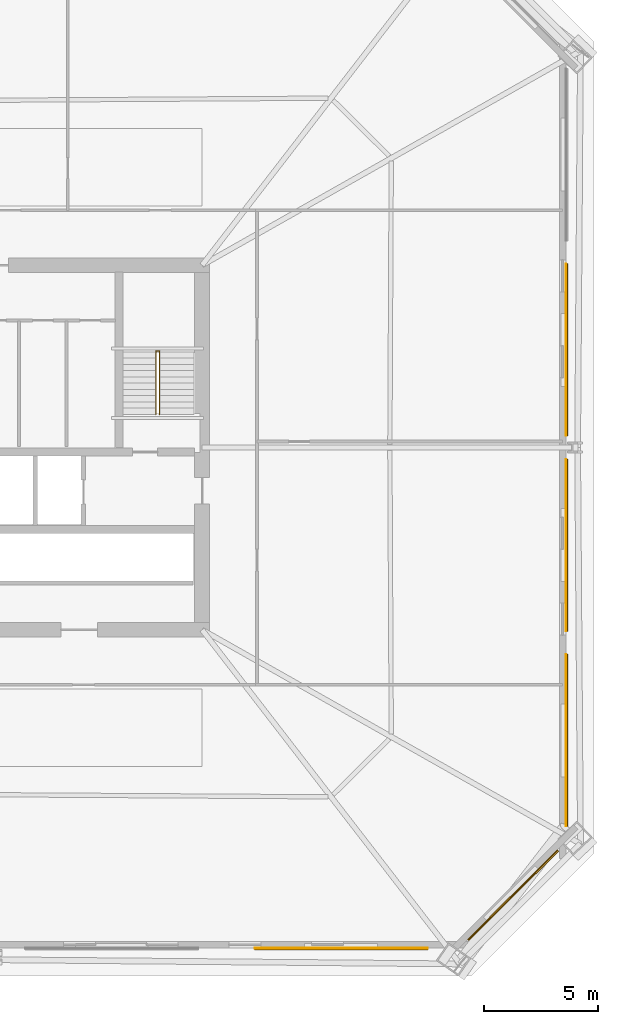
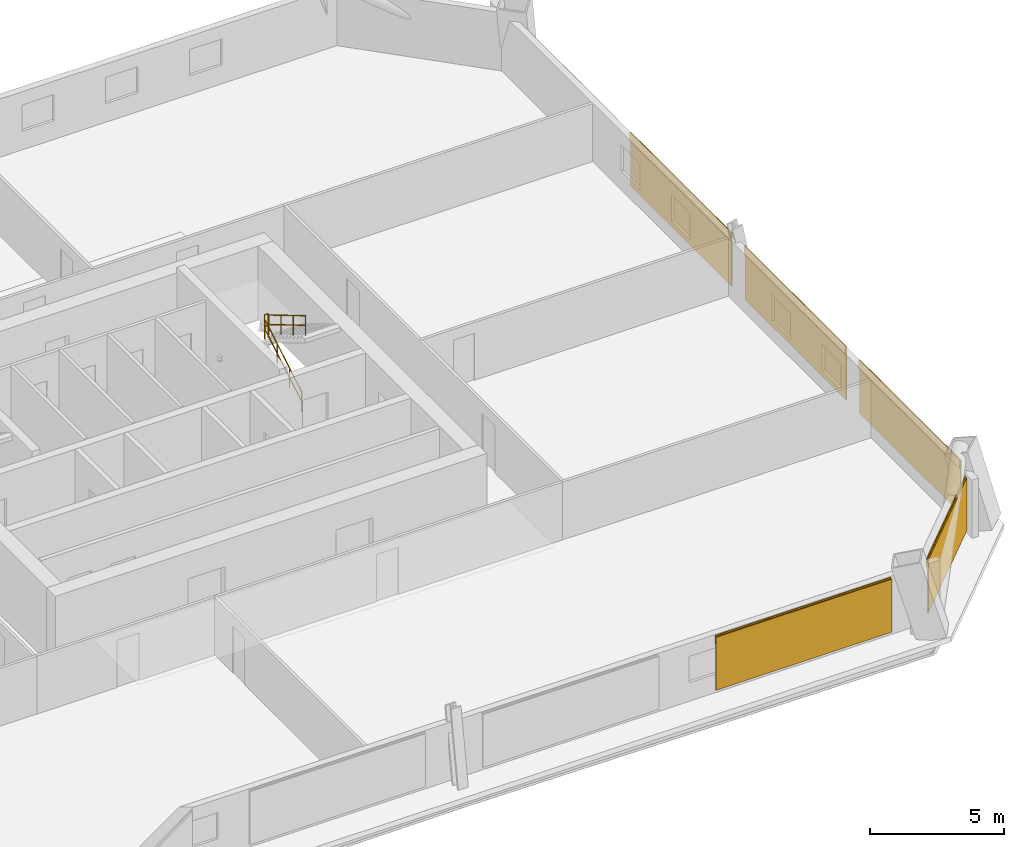
# One storey, part 9 of 10: 5 coverings, 5 shading devices, 3 railings.
"""IFC4 building model written with IfcOpenShell, lengths in metres."""

from ifc_helpers import new_model, si_unit, direction, frame, origin, origin_2d, place, context, subcontext, project, spatial, rectangle, circle, extrude, material, layer, layer_set, type_object, element, save


model = new_model("IFC4")

# Units and contexts
model_context = context("Model", 3, precision=1e-05, world=origin(), true_north=direction((0.0, 1.0)))
body_context = subcontext(model_context, "Body", "Model", "MODEL_VIEW")
ifc_project = project(units=[si_unit("LENGTHUNIT", "METRE"), si_unit("AREAUNIT", "SQUARE_METRE"), si_unit("VOLUMEUNIT", "CUBIC_METRE"), si_unit("PLANEANGLEUNIT", "RADIAN"), si_unit("MASSUNIT", "GRAM", prefix="KILO")], contexts=[model_context])

# Site, building, storey
site_placement = place(None, origin())
site = spatial("IfcSite", under=ifc_project, at=site_placement, CompositionType="ELEMENT")
building_placement = place(site_placement, origin())
building = spatial("IfcBuilding", under=site, at=building_placement, Name="Caelvoria Tower", CompositionType="ELEMENT")
storey_placement = place(building_placement, frame((0.0, 0.0, 78.39990234375)))
storey = spatial("IfcBuildingStorey", under=building, at=storey_placement, Name="L20", CompositionType="ELEMENT", Elevation=78.39990234375)

# Coverings
ifc_material_1 = material(Name="Perforated Architectural Bronze Cladding Screen", Category="bronze")
ifc_layer_1 = layer(ifc_material_1, 0.0400390625, Name="Perforated Architectural Bronze Cladding Screen")
ifc_layer_set_1 = layer_set([ifc_layer_1], Name="Perforated Bronze Louvre Cladding Band 40 - Perforated Architectural Bronze Cladding Screen")
covering_type = type_object("IfcCoveringType", Name="Perforated Bronze Louvre Cladding Band 40", PredefinedType="CLADDING", material=ifc_layer_set_1)
covering_1_placement = place(storey_placement, frame((61.10498046875, 10.028076171875, 2.2421875), z_axis=(0.0, 0.0, 1.0), x_axis=(1.0, 0.0, 0.0)))
element("IfcCovering", 1, at=covering_1_placement, inside=storey, type_object=covering_type, Name="Perforated Bronze Screen Band L20-E0-03", PredefinedType="CLADDING", context=body_context, shape_type="SweptSolid", body=[
    extrude(rectangle(XDim=7.60009765625, YDim=0.0400390625, at=origin_2d()), origin(), (0.0, 0.0, 1.0), 0.39990234375),
])
covering_2_placement = place(storey_placement, frame((68.631591796875, 12.368408203125, 2.2421875), z_axis=(0.0, 0.0, 1.0), x_axis=(0.707106781187, 0.707106781187, 0.0)))
element("IfcCovering", 2, at=covering_2_placement, inside=storey, type_object=covering_type, Name="Perforated Bronze Screen Band L20-E1-00", PredefinedType="CLADDING", context=body_context, shape_type="SweptSolid", body=[
    extrude(rectangle(XDim=5.55859375, YDim=0.0400390625, at=origin_2d()), origin(), (0.0, 0.0, 1.0), 0.39990234375),
])
for number, where, z_axis, x_axis, name in (
    (3, (70.971923828125, 19.14501953125, 2.2421875), (0.0, 0.0, 1.0), (0.0, 1.0, 0.0), "Perforated Bronze Screen Band L20-E2-00"),
    (4, (70.971923828125, 27.715087890625, 2.2421875), (0.0, 0.0, 1.0), (0.0, 1.0, 0.0), "Perforated Bronze Screen Band L20-E2-01"),
    (5, (70.971923828125, 36.284912109375, 2.2421875), (0.0, 0.0, 1.0), (0.0, 1.0, 0.0), "Perforated Bronze Screen Band L20-E2-02"),
):
    element("IfcCovering", number, at=place(storey_placement, frame(where, z_axis=z_axis, x_axis=x_axis)), inside=storey, type_object=covering_type, Name=name, PredefinedType="CLADDING", context=body_context, shape_type="SweptSolid", body=[
        extrude(rectangle(XDim=7.54150390625, YDim=0.0400390625, at=origin_2d()), origin(), (0.0, 0.0, 1.0), 0.39990234375),
    ])

# Shading devices
ifc_material_2 = material(Name="Perforated Architectural Bronze Alloy Panel", Category="bronze")
ifc_layer_2 = layer(ifc_material_2, 0.044921875, Name="Perforated Architectural Bronze Alloy Panel")
ifc_layer_set_2 = layer_set([ifc_layer_2], Name="Perforated Bronze Solar Screen Panel SCREEN - Perforated Architectural Bronze Alloy Panel")
shading_device_type = type_object("IfcShadingDeviceType", Name="Perforated Bronze Solar Screen Panel SCREEN", PredefinedType="USERDEFINED", material=ifc_layer_set_2)
shading_device_1_placement = place(storey_placement, frame((61.10498046875, 9.985107421875, 0.16015625), z_axis=(0.0, 0.0, 1.0), x_axis=(1.0, 0.0, 0.0)))
element("IfcShadingDevice", 6, at=shading_device_1_placement, inside=storey, type_object=shading_device_type, Name="Perforated Bronze Solar Screen L20-E0-03", ObjectType="SCREEN", PredefinedType="USERDEFINED", context=body_context, shape_type="SweptSolid", body=[
    extrude(rectangle(XDim=7.60009765625, YDim=0.044921875, at=origin_2d()), origin(), (0.0, 0.0, 1.0), 2.422119140625),
])
shading_device_2_placement = place(storey_placement, frame((68.662109375, 12.337890625, 0.16015625), z_axis=(0.0, 0.0, 1.0), x_axis=(0.707106781187, 0.707106781187, 0.0)))
element("IfcShadingDevice", 7, at=shading_device_2_placement, inside=storey, type_object=shading_device_type, Name="Perforated Bronze Solar Screen L20-E1-00", ObjectType="SCREEN", PredefinedType="USERDEFINED", context=body_context, shape_type="SweptSolid", body=[
    extrude(rectangle(XDim=5.55859375, YDim=0.044921875, at=origin_2d()), origin(), (0.0, 0.0, 1.0), 2.422119140625),
])
for number, where, z_axis, x_axis, name in (
    (8, (71.014892578125, 19.14501953125, 0.16015625), (0.0, 0.0, 1.0), (0.0, 1.0, 0.0), "Perforated Bronze Solar Screen L20-E2-00"),
    (9, (71.014892578125, 27.715087890625, 0.16015625), (0.0, 0.0, 1.0), (0.0, 1.0, 0.0), "Perforated Bronze Solar Screen L20-E2-01"),
    (10, (71.014892578125, 36.284912109375, 0.16015625), (0.0, 0.0, 1.0), (0.0, 1.0, 0.0), "Perforated Bronze Solar Screen L20-E2-02"),
):
    element("IfcShadingDevice", number, at=place(storey_placement, frame(where, z_axis=z_axis, x_axis=x_axis)), inside=storey, type_object=shading_device_type, Name=name, ObjectType="SCREEN", PredefinedType="USERDEFINED", context=body_context, shape_type="SweptSolid", body=[
        extrude(rectangle(XDim=7.54150390625, YDim=0.044921875, at=origin_2d()), origin(), (0.0, 0.0, 1.0), 2.422119140625),
    ])

# Railings
ifc_material_3 = material(Name="Brushed Stainless Steel Tube", Category="steel")
railing_type_1 = type_object("IfcRailingType", Name="Stair Tubular Stainless Handrail 920", PredefinedType="HANDRAIL", material=ifc_material_3)
railing_1_placement = place(storey_placement, frame((52.969970703125, 33.449951171875, 0.163818359375)))
element("IfcRailing", 11, at=railing_1_placement, inside=storey, type_object=railing_type_1, Name="ST-02 Flight 1 Handrail L20", PredefinedType="HANDRAIL", context=body_context, shape_type="SweptSolid", body=[
    extrude(circle(Radius=0.02392578125, at=origin_2d()), frame((0.0, 0.0, 0.89599609375), z_axis=(0.0, 0.859385484447, 0.511328259656), x_axis=(-1.0, 0.0, 0.0)), (0.0, 0.0, 1.0), 3.199951171875),
    extrude(circle(Radius=0.02392578125, at=origin_2d()), frame((0.0, 0.0, 0.4599609375), z_axis=(0.0, 0.859385484447, 0.511328259656), x_axis=(-1.0, 0.0, 0.0)), (0.0, 0.0, 1.0), 3.199951171875),
    extrude(circle(Radius=0.02099609375, at=origin_2d()), origin(), (0.0, 0.0, 1.0), 0.871826171875),
    extrude(circle(Radius=0.02099609375, at=origin_2d()), frame((0.0, 0.916748046875, 0.54541015625)), (0.0, 0.0, 1.0), 0.871826171875),
    extrude(circle(Radius=0.02099609375, at=origin_2d()), frame((0.0, 1.833251953125, 1.0908203125)), (0.0, 0.0, 1.0), 0.871826171875),
    extrude(circle(Radius=0.02099609375, at=origin_2d()), frame((0.0, 2.75, 1.63623046875)), (0.0, 0.0, 1.0), 0.871826171875),
])
railing_2_placement = place(storey_placement, frame((53.1298828125, 36.199951171875, 1.963623046875)))
element("IfcRailing", 12, at=railing_2_placement, inside=storey, type_object=railing_type_1, Name="ST-02 Flight 2 Handrail L20", PredefinedType="HANDRAIL", context=body_context, shape_type="SweptSolid", body=[
    extrude(circle(Radius=0.02392578125, at=origin_2d()), frame((0.0, 0.0, 0.89599609375), z_axis=(0.0, -0.859351957796, 0.511384603436), x_axis=(1.0, 0.0, 0.0)), (0.0, 0.0, 1.0), 3.2001953125),
    extrude(circle(Radius=0.02392578125, at=origin_2d()), frame((0.0, 0.0, 0.4599609375), z_axis=(0.0, -0.859351957796, 0.511384603436), x_axis=(1.0, 0.0, 0.0)), (0.0, 0.0, 1.0), 3.2001953125),
    extrude(circle(Radius=0.02099609375, at=origin_2d()), origin(), (0.0, 0.0, 1.0), 0.871826171875),
    extrude(circle(Radius=0.02099609375, at=origin_2d()), frame((0.0, -0.916748046875, 0.54541015625)), (0.0, 0.0, 1.0), 0.871826171875),
    extrude(circle(Radius=0.02099609375, at=origin_2d()), frame((0.0, -1.833251953125, 1.091064453125)), (0.0, 0.0, 1.0), 0.871826171875),
    extrude(circle(Radius=0.02099609375, at=origin_2d()), frame((0.0, -2.75, 1.636474609375)), (0.0, 0.0, 1.0), 0.871826171875),
])
ifc_material_4 = material(Name="Brushed Stainless Steel Guardrail", Category="steel")
railing_type_2 = type_object("IfcRailingType", Name="Stair Well and Ramp Guardrail 1120", PredefinedType="GUARDRAIL", material=ifc_material_4)
railing_3_placement = place(storey_placement, frame((52.969970703125, 36.239990234375, 1.800048828125)))
element("IfcRailing", 13, at=railing_3_placement, inside=storey, type_object=railing_type_2, Name="ST-02 Half-Landing Well Guard L20", PredefinedType="GUARDRAIL", context=body_context, shape_type="SweptSolid", body=[
    extrude(circle(Radius=0.02392578125, at=origin_2d()), frame((0.0, 0.0, 1.09619140625), z_axis=(1.0, 0.0, 0.0), x_axis=(0.0, 1.0, 0.0)), (0.0, 0.0, 1.0), 0.159912109375),
    extrude(circle(Radius=0.02392578125, at=origin_2d()), frame((0.0, 0.0, 0.56005859375), z_axis=(1.0, 0.0, 0.0), x_axis=(0.0, 1.0, 0.0)), (0.0, 0.0, 1.0), 0.159912109375),
    extrude(circle(Radius=0.02099609375, at=origin_2d()), origin(), (0.0, 0.0, 1.0), 1.072021484375),
    extrude(circle(Radius=0.02099609375, at=origin_2d()), frame((0.159912109375, 0.0, 0.0)), (0.0, 0.0, 1.0), 1.072021484375),
])

save(model, "model.ifc")
